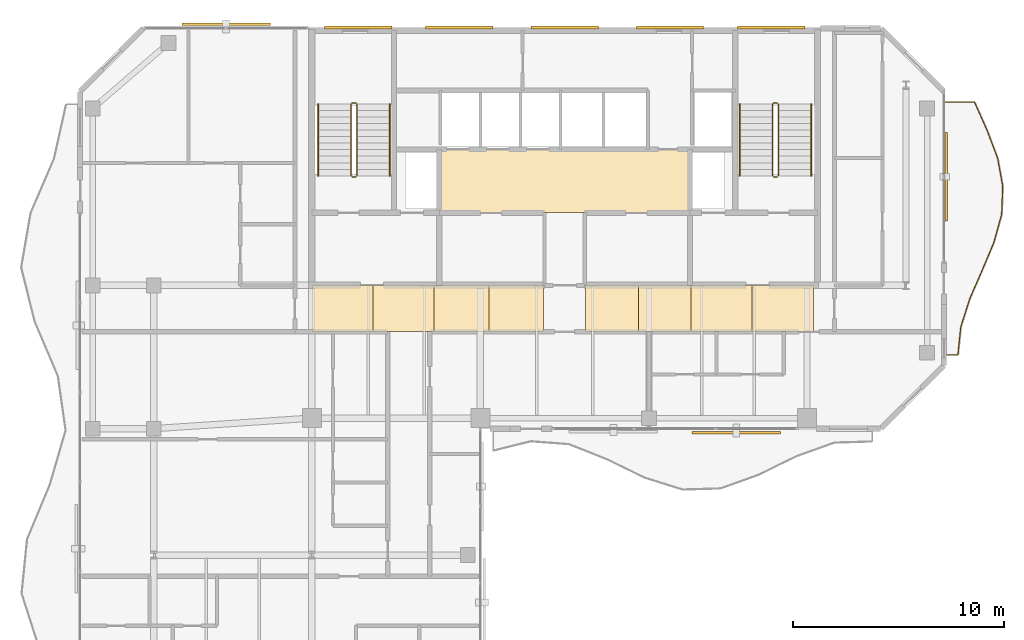
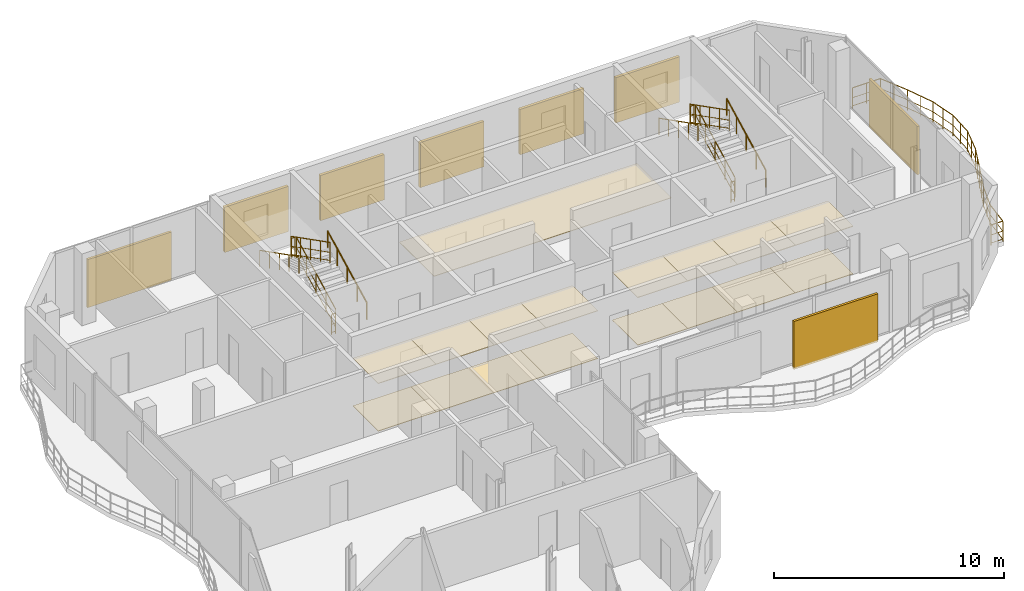
# One storey, part 22 of 22: 17 coverings, 13 railings, 8 shading devices.
"""IFC4 building model written with IfcOpenShell, lengths in metres."""

from ifc_helpers import new_model, si_unit, direction, frame, origin, origin_2d, place, context, subcontext, project, spatial, polyline, rectangle, circle, outline, extrude, material, layer, layer_set, type_object, element, save


model = new_model("IFC4")

# Units and contexts
model_context = context("Model", 3, precision=1e-05, world=origin(), true_north=direction((0.0, 1.0)))
body_context = subcontext(model_context, "Body", "Model", "MODEL_VIEW")
ifc_project = project(units=[si_unit("LENGTHUNIT", "METRE"), si_unit("AREAUNIT", "SQUARE_METRE"), si_unit("VOLUMEUNIT", "CUBIC_METRE"), si_unit("PLANEANGLEUNIT", "RADIAN"), si_unit("MASSUNIT", "GRAM", prefix="KILO")], contexts=[model_context])

# Site, building, storey
site_placement = place(None, origin())
site = spatial("IfcSite", under=ifc_project, at=site_placement, CompositionType="ELEMENT")
building_placement = place(site_placement, origin())
building = spatial("IfcBuilding", under=site, at=building_placement, Name="Catumbela Crestline Tower", CompositionType="ELEMENT")
storey_placement = place(building_placement, frame((0.0, 0.0, 260.2)))
storey = spatial("IfcBuildingStorey", under=building, at=storey_placement, Name="L67", CompositionType="ELEMENT", Elevation=260.2)

# Coverings
ifc_material_1 = material(Name="Mineral-fibre acoustic ceiling")
ifc_layer_1 = layer(ifc_material_1, 0.03, Name="Mineral-fibre acoustic ceiling")
ifc_layer_set_1 = layer_set([ifc_layer_1], Name="Mineral-fibre acoustic ceiling")
covering_type_1 = type_object("IfcCoveringType", Name="CC-AC", PredefinedType="CEILING", material=ifc_layer_set_1)
covering_1_placement = place(storey_placement, frame((0.0, 0.0, 2.65)))
element("IfcCovering", 1, at=covering_1_placement, inside=storey, type_object=covering_type_1, Name="L67 Lift Lobby Acoustic Ceiling", PredefinedType="CEILING", context=body_context, shape_type="SweptSolid", body=[
    extrude(outline(polyline([(22.05, 34.25), (33.95, 34.25), (33.95, 37.25), (22.05, 37.25), (22.05, 34.25)])), origin(), (0.0, 0.0, 1.0), 0.03),
])
covering_2_placement = place(storey_placement, frame((0.0, 0.0, 2.52)))
element("IfcCovering", 2, at=covering_2_placement, inside=storey, type_object=covering_type_1, Name="L67 Corridor Acoustic Ceiling Bay 1", PredefinedType="CEILING", context=body_context, shape_type="SweptSolid", body=[
    extrude(outline(polyline([(16.0, 28.6), (18.9, 28.6), (18.9, 30.8), (16.0, 30.8), (16.0, 28.6)])), origin(), (0.0, 0.0, 1.0), 0.03),
])
covering_3_placement = place(storey_placement, frame((0.0, 0.0, 2.52)))
element("IfcCovering", 3, at=covering_3_placement, inside=storey, type_object=covering_type_1, Name="L67 Corridor Acoustic Ceiling Bay 2", PredefinedType="CEILING", context=body_context, shape_type="SweptSolid", body=[
    extrude(outline(polyline([(18.9, 28.6), (21.8, 28.6), (21.8, 30.8), (18.9, 30.8), (18.9, 28.6)])), origin(), (0.0, 0.0, 1.0), 0.03),
])
covering_4_placement = place(storey_placement, frame((0.0, 0.0, 2.52)))
element("IfcCovering", 4, at=covering_4_placement, inside=storey, type_object=covering_type_1, Name="L67 Corridor Acoustic Ceiling Bay 3", PredefinedType="CEILING", context=body_context, shape_type="SweptSolid", body=[
    extrude(outline(polyline([(21.8, 28.6), (24.4, 28.6), (24.4, 30.8), (21.8, 30.8), (21.8, 28.6)])), origin(), (0.0, 0.0, 1.0), 0.03),
])
covering_5_placement = place(storey_placement, frame((0.0, 0.0, 2.52)))
element("IfcCovering", 5, at=covering_5_placement, inside=storey, type_object=covering_type_1, Name="L67 Corridor Acoustic Ceiling Bay 4", PredefinedType="CEILING", context=body_context, shape_type="SweptSolid", body=[
    extrude(outline(polyline([(24.4, 28.6), (27.0, 28.6), (27.0, 30.8), (24.4, 30.8), (24.4, 28.6)])), origin(), (0.0, 0.0, 1.0), 0.03),
])
covering_6_placement = place(storey_placement, frame((0.0, 0.0, 2.52)))
element("IfcCovering", 6, at=covering_6_placement, inside=storey, type_object=covering_type_1, Name="L67 Corridor Acoustic Ceiling Bay 5", PredefinedType="CEILING", context=body_context, shape_type="SweptSolid", body=[
    extrude(outline(polyline([(29.0, 28.6), (31.5, 28.6), (31.5, 30.8), (29.0, 30.8), (29.0, 28.6)])), origin(), (0.0, 0.0, 1.0), 0.03),
])
covering_7_placement = place(storey_placement, frame((0.0, 0.0, 2.52)))
element("IfcCovering", 7, at=covering_7_placement, inside=storey, type_object=covering_type_1, Name="L67 Corridor Acoustic Ceiling Bay 6", PredefinedType="CEILING", context=body_context, shape_type="SweptSolid", body=[
    extrude(outline(polyline([(31.5, 28.6), (34.0, 28.6), (34.0, 30.8), (31.5, 30.8), (31.5, 28.6)])), origin(), (0.0, 0.0, 1.0), 0.03),
])
covering_8_placement = place(storey_placement, frame((0.0, 0.0, 2.52)))
element("IfcCovering", 8, at=covering_8_placement, inside=storey, type_object=covering_type_1, Name="L67 Corridor Acoustic Ceiling Bay 7", PredefinedType="CEILING", context=body_context, shape_type="SweptSolid", body=[
    extrude(outline(polyline([(34.0, 28.6), (36.9, 28.6), (36.9, 30.8), (34.0, 30.8), (34.0, 28.6)])), origin(), (0.0, 0.0, 1.0), 0.03),
])
covering_9_placement = place(storey_placement, frame((0.0, 0.0, 2.52)))
element("IfcCovering", 9, at=covering_9_placement, inside=storey, type_object=covering_type_1, Name="L67 Corridor Acoustic Ceiling Bay 8", PredefinedType="CEILING", context=body_context, shape_type="SweptSolid", body=[
    extrude(outline(polyline([(36.9, 28.6), (39.8, 28.6), (39.8, 30.8), (36.9, 30.8), (36.9, 28.6)])), origin(), (0.0, 0.0, 1.0), 0.03),
])
ifc_material_2 = material(Name="Angolan grey-ochre granite", Category="masonry")
ifc_layer_2 = layer(ifc_material_2, 0.025, Name="Angolan grey-ochre granite")
ifc_layer_set_2 = layer_set([ifc_layer_2], Name="Angolan grey-ochre granite")
covering_type_2 = type_object("IfcCoveringType", Name="CF-GR", PredefinedType="FLOORING", material=ifc_layer_set_2)
covering_10_placement = place(storey_placement, origin())
element("IfcCovering", 10, at=covering_10_placement, inside=storey, type_object=covering_type_2, Name="L67 Corridor Granite Flooring Bay 1", PredefinedType="FLOORING", context=body_context, shape_type="SweptSolid", body=[
    extrude(outline(polyline([(16.0, 28.6), (18.9, 28.6), (18.9, 30.8), (16.0, 30.8), (16.0, 28.6)])), origin(), (0.0, 0.0, 1.0), 0.025),
])
covering_11_placement = place(storey_placement, origin())
element("IfcCovering", 11, at=covering_11_placement, inside=storey, type_object=covering_type_2, Name="L67 Corridor Granite Flooring Bay 2", PredefinedType="FLOORING", context=body_context, shape_type="SweptSolid", body=[
    extrude(outline(polyline([(18.9, 28.6), (21.8, 28.6), (21.8, 30.8), (18.9, 30.8), (18.9, 28.6)])), origin(), (0.0, 0.0, 1.0), 0.025),
])
covering_12_placement = place(storey_placement, origin())
element("IfcCovering", 12, at=covering_12_placement, inside=storey, type_object=covering_type_2, Name="L67 Corridor Granite Flooring Bay 3", PredefinedType="FLOORING", context=body_context, shape_type="SweptSolid", body=[
    extrude(outline(polyline([(21.8, 28.6), (24.4, 28.6), (24.4, 30.8), (21.8, 30.8), (21.8, 28.6)])), origin(), (0.0, 0.0, 1.0), 0.025),
])
covering_13_placement = place(storey_placement, origin())
element("IfcCovering", 13, at=covering_13_placement, inside=storey, type_object=covering_type_2, Name="L67 Corridor Granite Flooring Bay 4", PredefinedType="FLOORING", context=body_context, shape_type="SweptSolid", body=[
    extrude(outline(polyline([(24.4, 28.6), (27.0, 28.6), (27.0, 30.8), (24.4, 30.8), (24.4, 28.6)])), origin(), (0.0, 0.0, 1.0), 0.025),
])
covering_14_placement = place(storey_placement, origin())
element("IfcCovering", 14, at=covering_14_placement, inside=storey, type_object=covering_type_2, Name="L67 Corridor Granite Flooring Bay 5", PredefinedType="FLOORING", context=body_context, shape_type="SweptSolid", body=[
    extrude(outline(polyline([(29.0, 28.6), (31.5, 28.6), (31.5, 30.8), (29.0, 30.8), (29.0, 28.6)])), origin(), (0.0, 0.0, 1.0), 0.025),
])
covering_15_placement = place(storey_placement, origin())
element("IfcCovering", 15, at=covering_15_placement, inside=storey, type_object=covering_type_2, Name="L67 Corridor Granite Flooring Bay 6", PredefinedType="FLOORING", context=body_context, shape_type="SweptSolid", body=[
    extrude(outline(polyline([(31.5, 28.6), (34.0, 28.6), (34.0, 30.8), (31.5, 30.8), (31.5, 28.6)])), origin(), (0.0, 0.0, 1.0), 0.025),
])
covering_16_placement = place(storey_placement, origin())
element("IfcCovering", 16, at=covering_16_placement, inside=storey, type_object=covering_type_2, Name="L67 Corridor Granite Flooring Bay 7", PredefinedType="FLOORING", context=body_context, shape_type="SweptSolid", body=[
    extrude(outline(polyline([(34.0, 28.6), (36.9, 28.6), (36.9, 30.8), (34.0, 30.8), (34.0, 28.6)])), origin(), (0.0, 0.0, 1.0), 0.025),
])
covering_17_placement = place(storey_placement, origin())
element("IfcCovering", 17, at=covering_17_placement, inside=storey, type_object=covering_type_2, Name="L67 Corridor Granite Flooring Bay 8", PredefinedType="FLOORING", context=body_context, shape_type="SweptSolid", body=[
    extrude(outline(polyline([(36.9, 28.6), (39.8, 28.6), (39.8, 30.8), (36.9, 30.8), (36.9, 28.6)])), origin(), (0.0, 0.0, 1.0), 0.025),
])

# Railings
ifc_material_3 = material(Name="Stainless steel EN 1.4401", Category="steel")
railing_type_1 = type_object("IfcRailingType", Name="RB-1100", PredefinedType="BALUSTRADE", material=ifc_material_3)
railing_1_placement = place(storey_placement, frame((46.06, 27.5, 0.0)))
element("IfcRailing", 18, at=railing_1_placement, inside=storey, type_object=railing_type_1, Name="L67 Private Wave Balcony Balustrade 2", PredefinedType="BALUSTRADE", context=body_context, shape_type="SweptSolid", body=[
    extrude(circle(Radius=0.024, at=origin_2d()), frame((0.0, 0.0, 1.076), z_axis=(1.0, 0.0, 0.0), x_axis=(0.0, 1.0, 0.0)), (0.0, 0.0, 1.0), 0.601),
    extrude(circle(Radius=0.0156, at=origin_2d()), frame((0.0, 0.0, 0.55), z_axis=(1.0, 0.0, 0.0), x_axis=(0.0, 1.0, 0.0)), (0.0, 0.0, 1.0), 0.601),
    extrude(circle(Radius=0.0156, at=origin_2d()), frame((0.0, 0.0, 0.12), z_axis=(1.0, 0.0, 0.0), x_axis=(0.0, 1.0, 0.0)), (0.0, 0.0, 1.0), 0.601),
    extrude(circle(Radius=0.024, at=origin_2d()), frame((0.601, 0.0, 1.076), z_axis=(0.104133385077, 0.994563340423, 0.0), x_axis=(-0.994563340423, 0.104133385077, 0.0)), (0.0, 0.0, 1.0), 1.3406),
    extrude(circle(Radius=0.0156, at=origin_2d()), frame((0.601, 0.0, 0.55), z_axis=(0.104133385077, 0.994563340423, 0.0), x_axis=(-0.994563340423, 0.104133385077, 0.0)), (0.0, 0.0, 1.0), 1.3406),
    extrude(circle(Radius=0.0156, at=origin_2d()), frame((0.601, 0.0, 0.12), z_axis=(0.104133385077, 0.994563340423, 0.0), x_axis=(-0.994563340423, 0.104133385077, 0.0)), (0.0, 0.0, 1.0), 1.3406),
    extrude(circle(Radius=0.024, at=origin_2d()), frame((0.7406, 1.3333, 1.076), z_axis=(0.303811133199, 0.952732278945, 0.0), x_axis=(-0.952732278945, 0.303811133199, 0.0)), (0.0, 0.0, 1.0), 1.3996),
    extrude(circle(Radius=0.0156, at=origin_2d()), frame((0.7406, 1.3333, 0.55), z_axis=(0.303811133199, 0.952732278945, 0.0), x_axis=(-0.952732278945, 0.303811133199, 0.0)), (0.0, 0.0, 1.0), 1.3996),
    extrude(circle(Radius=0.0156, at=origin_2d()), frame((0.7406, 1.3333, 0.12), z_axis=(0.303811133199, 0.952732278945, 0.0), x_axis=(-0.952732278945, 0.303811133199, 0.0)), (0.0, 0.0, 1.0), 1.3996),
    extrude(circle(Radius=0.024, at=origin_2d()), frame((1.1658, 2.6667, 1.076), z_axis=(0.399711331432, 0.916641070172, 0.0), x_axis=(-0.916641070172, 0.399711331432, 0.0)), (0.0, 0.0, 1.0), 1.4545),
    extrude(circle(Radius=0.0156, at=origin_2d()), frame((1.1658, 2.6667, 0.55), z_axis=(0.399711331432, 0.916641070172, 0.0), x_axis=(-0.916641070172, 0.399711331432, 0.0)), (0.0, 0.0, 1.0), 1.4545),
    extrude(circle(Radius=0.0156, at=origin_2d()), frame((1.1658, 2.6667, 0.12), z_axis=(0.399711331432, 0.916641070172, 0.0), x_axis=(-0.916641070172, 0.399711331432, 0.0)), (0.0, 0.0, 1.0), 1.4545),
    extrude(circle(Radius=0.024, at=origin_2d()), frame((1.7472, 4.0, 1.076), z_axis=(0.387828284506, 0.921731643016, 0.0), x_axis=(-0.921731643016, 0.387828284506, 0.0)), (0.0, 0.0, 1.0), 1.4465),
    extrude(circle(Radius=0.0156, at=origin_2d()), frame((1.7472, 4.0, 0.55), z_axis=(0.387828284506, 0.921731643016, 0.0), x_axis=(-0.921731643016, 0.387828284506, 0.0)), (0.0, 0.0, 1.0), 1.4465),
    extrude(circle(Radius=0.0156, at=origin_2d()), frame((1.7472, 4.0, 0.12), z_axis=(0.387828284506, 0.921731643016, 0.0), x_axis=(-0.921731643016, 0.387828284506, 0.0)), (0.0, 0.0, 1.0), 1.4465),
    extrude(circle(Radius=0.024, at=origin_2d()), frame((2.3082, 5.3333, 1.076), z_axis=(0.267450049337, 0.963571725981, 0.0), x_axis=(-0.963571725981, 0.267450049337, 0.0)), (0.0, 0.0, 1.0), 1.3838),
    extrude(circle(Radius=0.0156, at=origin_2d()), frame((2.3082, 5.3333, 0.55), z_axis=(0.267450049337, 0.963571725981, 0.0), x_axis=(-0.963571725981, 0.267450049337, 0.0)), (0.0, 0.0, 1.0), 1.3838),
    extrude(circle(Radius=0.0156, at=origin_2d()), frame((2.3082, 5.3333, 0.12), z_axis=(0.267450049337, 0.963571725981, 0.0), x_axis=(-0.963571725981, 0.267450049337, 0.0)), (0.0, 0.0, 1.0), 1.3838),
    extrude(circle(Radius=0.024, at=origin_2d()), frame((2.6783, 6.6667, 1.076), z_axis=(0.038746850927, 0.999249058815, 0.0), x_axis=(-0.999249058815, 0.038746850927, 0.0)), (0.0, 0.0, 1.0), 1.3343),
    extrude(circle(Radius=0.0156, at=origin_2d()), frame((2.6783, 6.6667, 0.55), z_axis=(0.038746850927, 0.999249058815, 0.0), x_axis=(-0.999249058815, 0.038746850927, 0.0)), (0.0, 0.0, 1.0), 1.3343),
    extrude(circle(Radius=0.0156, at=origin_2d()), frame((2.6783, 6.6667, 0.12), z_axis=(0.038746850927, 0.999249058815, 0.0), x_axis=(-0.999249058815, 0.038746850927, 0.0)), (0.0, 0.0, 1.0), 1.3343),
    extrude(circle(Radius=0.024, at=origin_2d()), frame((2.73, 8.0, 1.076), z_axis=(-0.178586703106, 0.983924178722, 0.0), x_axis=(-0.983924178722, -0.178586703106, 0.0)), (0.0, 0.0, 1.0), 1.3551),
    extrude(circle(Radius=0.0156, at=origin_2d()), frame((2.73, 8.0, 0.55), z_axis=(-0.178586703106, 0.983924178722, 0.0), x_axis=(-0.983924178722, -0.178586703106, 0.0)), (0.0, 0.0, 1.0), 1.3551),
    extrude(circle(Radius=0.0156, at=origin_2d()), frame((2.73, 8.0, 0.12), z_axis=(-0.178586703106, 0.983924178722, 0.0), x_axis=(-0.983924178722, -0.178586703106, 0.0)), (0.0, 0.0, 1.0), 1.3551),
    extrude(circle(Radius=0.024, at=origin_2d()), frame((2.488, 9.3333, 1.076), z_axis=(-0.352645749318, 0.935756899781, 0.0), x_axis=(-0.935756899781, -0.352645749318, 0.0)), (0.0, 0.0, 1.0), 1.4249),
    extrude(circle(Radius=0.0156, at=origin_2d()), frame((2.488, 9.3333, 0.55), z_axis=(-0.352645749318, 0.935756899781, 0.0), x_axis=(-0.935756899781, -0.352645749318, 0.0)), (0.0, 0.0, 1.0), 1.4249),
    extrude(circle(Radius=0.0156, at=origin_2d()), frame((2.488, 9.3333, 0.12), z_axis=(-0.352645749318, 0.935756899781, 0.0), x_axis=(-0.935756899781, -0.352645749318, 0.0)), (0.0, 0.0, 1.0), 1.4249),
    extrude(circle(Radius=0.024, at=origin_2d()), frame((1.9855, 10.6667, 1.076), z_axis=(-0.407694688159, 0.913118306271, 0.0), x_axis=(-0.913118306271, -0.407694688159, 0.0)), (0.0, 0.0, 1.0), 1.4602),
    extrude(circle(Radius=0.0156, at=origin_2d()), frame((1.9855, 10.6667, 0.55), z_axis=(-0.407694688159, 0.913118306271, 0.0), x_axis=(-0.913118306271, -0.407694688159, 0.0)), (0.0, 0.0, 1.0), 1.4602),
    extrude(circle(Radius=0.0156, at=origin_2d()), frame((1.9855, 10.6667, 0.12), z_axis=(-0.407694688159, 0.913118306271, 0.0), x_axis=(-0.913118306271, -0.407694688159, 0.0)), (0.0, 0.0, 1.0), 1.4602),
    extrude(circle(Radius=0.024, at=origin_2d()), frame((1.3902, 12.0, 1.076), z_axis=(-1.0, 0.0, 0.0), x_axis=(0.0, -1.0, 0.0)), (0.0, 0.0, 1.0), 1.3902),
    extrude(circle(Radius=0.0156, at=origin_2d()), frame((1.3902, 12.0, 0.55), z_axis=(-1.0, 0.0, 0.0), x_axis=(0.0, -1.0, 0.0)), (0.0, 0.0, 1.0), 1.3902),
    extrude(circle(Radius=0.0156, at=origin_2d()), frame((1.3902, 12.0, 0.12), z_axis=(-1.0, 0.0, 0.0), x_axis=(0.0, -1.0, 0.0)), (0.0, 0.0, 1.0), 1.3902),
    extrude(circle(Radius=0.021, at=origin_2d()), origin(), (0.0, 0.0, 1.0), 1.052),
    extrude(circle(Radius=0.021, at=origin_2d()), frame((0.601, 0.0, 0.0)), (0.0, 0.0, 1.0), 1.052),
    extrude(circle(Radius=0.021, at=origin_2d()), frame((0.6708, 0.6667, 0.0)), (0.0, 0.0, 1.0), 1.052),
    extrude(circle(Radius=0.021, at=origin_2d()), frame((0.7406, 1.3333, 0.0)), (0.0, 0.0, 1.0), 1.052),
    extrude(circle(Radius=0.021, at=origin_2d()), frame((0.9532, 2.0, 0.0)), (0.0, 0.0, 1.0), 1.052),
    extrude(circle(Radius=0.021, at=origin_2d()), frame((1.1658, 2.6667, 0.0)), (0.0, 0.0, 1.0), 1.052),
    extrude(circle(Radius=0.021, at=origin_2d()), frame((1.4565, 3.3333, 0.0)), (0.0, 0.0, 1.0), 1.052),
    extrude(circle(Radius=0.021, at=origin_2d()), frame((1.7472, 4.0, 0.0)), (0.0, 0.0, 1.0), 1.052),
    extrude(circle(Radius=0.021, at=origin_2d()), frame((2.0277, 4.6667, 0.0)), (0.0, 0.0, 1.0), 1.052),
    extrude(circle(Radius=0.021, at=origin_2d()), frame((2.3082, 5.3333, 0.0)), (0.0, 0.0, 1.0), 1.052),
    extrude(circle(Radius=0.021, at=origin_2d()), frame((2.4932, 6.0, 0.0)), (0.0, 0.0, 1.0), 1.052),
    extrude(circle(Radius=0.021, at=origin_2d()), frame((2.6783, 6.6667, 0.0)), (0.0, 0.0, 1.0), 1.052),
    extrude(circle(Radius=0.021, at=origin_2d()), frame((2.7041, 7.3334, 0.0)), (0.0, 0.0, 1.0), 1.052),
    extrude(circle(Radius=0.021, at=origin_2d()), frame((2.73, 8.0, 0.0)), (0.0, 0.0, 1.0), 1.052),
    extrude(circle(Radius=0.021, at=origin_2d()), frame((2.609, 8.6666, 0.0)), (0.0, 0.0, 1.0), 1.052),
    extrude(circle(Radius=0.021, at=origin_2d()), frame((2.488, 9.3333, 0.0)), (0.0, 0.0, 1.0), 1.052),
    extrude(circle(Radius=0.021, at=origin_2d()), frame((2.2367, 10.0, 0.0)), (0.0, 0.0, 1.0), 1.052),
    extrude(circle(Radius=0.021, at=origin_2d()), frame((1.9855, 10.6667, 0.0)), (0.0, 0.0, 1.0), 1.052),
    extrude(circle(Radius=0.021, at=origin_2d()), frame((1.6878, 11.3334, 0.0)), (0.0, 0.0, 1.0), 1.052),
    extrude(circle(Radius=0.021, at=origin_2d()), frame((1.3902, 12.0, 0.0)), (0.0, 0.0, 1.0), 1.052),
    extrude(circle(Radius=0.021, at=origin_2d()), frame((0.6951, 12.0, 0.0)), (0.0, 0.0, 1.0), 1.052),
    extrude(circle(Radius=0.021, at=origin_2d()), frame((0.0, 12.0, 0.0)), (0.0, 0.0, 1.0), 1.052),
])
railing_type_2 = type_object("IfcRailingType", Name="RG-1100", PredefinedType="GUARDRAIL", material=ifc_material_3)
railing_2_placement = place(storey_placement, frame((18.14, 36.0, 0.1583)))
element("IfcRailing", 19, at=railing_2_placement, inside=storey, type_object=railing_type_2, Name="L67 ST-01 stair guard 1", PredefinedType="GUARDRAIL", context=body_context, shape_type="SweptSolid", body=[
    extrude(circle(Radius=0.024, at=origin_2d()), frame((0.0, 0.0, 1.076), z_axis=(0.0, 0.890560473983, 0.454864861447), x_axis=(-1.0, 0.0, 0.0)), (0.0, 0.0, 1.0), 3.829),
    extrude(circle(Radius=0.0156, at=origin_2d()), frame((0.0, 0.0, 0.55), z_axis=(0.0, 0.890560473983, 0.454864861447), x_axis=(-1.0, 0.0, 0.0)), (0.0, 0.0, 1.0), 3.829),
    extrude(circle(Radius=0.0156, at=origin_2d()), frame((0.0, 0.0, 0.12), z_axis=(0.0, 0.890560473983, 0.454864861447), x_axis=(-1.0, 0.0, 0.0)), (0.0, 0.0, 1.0), 3.829),
    extrude(circle(Radius=0.021, at=origin_2d()), origin(), (0.0, 0.0, 1.0), 1.052),
    extrude(circle(Radius=0.021, at=origin_2d()), frame((0.0, 0.8525, 0.4354)), (0.0, 0.0, 1.0), 1.052),
    extrude(circle(Radius=0.021, at=origin_2d()), frame((0.0, 1.705, 0.8709)), (0.0, 0.0, 1.0), 1.052),
    extrude(circle(Radius=0.021, at=origin_2d()), frame((0.0, 2.5575, 1.3063)), (0.0, 0.0, 1.0), 1.052),
    extrude(circle(Radius=0.021, at=origin_2d()), frame((0.0, 3.41, 1.7417)), (0.0, 0.0, 1.0), 1.052),
])
railing_3_placement = place(storey_placement, frame((18.09, 39.46, 1.9)))
element("IfcRailing", 20, at=railing_3_placement, inside=storey, type_object=railing_type_2, Name="L67 ST-01 stair guard 2", PredefinedType="GUARDRAIL", context=body_context, shape_type="SweptSolid", body=[
    extrude(circle(Radius=0.024, at=origin_2d()), frame((0.0, 0.0, 1.076), z_axis=(-1.0, 0.0, 0.0), x_axis=(0.0, -1.0, 0.0)), (0.0, 0.0, 1.0), 0.18),
    extrude(circle(Radius=0.0156, at=origin_2d()), frame((0.0, 0.0, 0.55), z_axis=(-1.0, 0.0, 0.0), x_axis=(0.0, -1.0, 0.0)), (0.0, 0.0, 1.0), 0.18),
    extrude(circle(Radius=0.0156, at=origin_2d()), frame((0.0, 0.0, 0.12), z_axis=(-1.0, 0.0, 0.0), x_axis=(0.0, -1.0, 0.0)), (0.0, 0.0, 1.0), 0.18),
    extrude(circle(Radius=0.021, at=origin_2d()), origin(), (0.0, 0.0, 1.0), 1.052),
    extrude(circle(Radius=0.021, at=origin_2d()), frame((-0.18, 0.0, 0.0)), (0.0, 0.0, 1.0), 1.052),
])
railing_4_placement = place(storey_placement, frame((17.86, 39.41, 2.0583)))
element("IfcRailing", 21, at=railing_4_placement, inside=storey, type_object=railing_type_2, Name="L67 ST-01 stair guard 3", PredefinedType="GUARDRAIL", context=body_context, shape_type="SweptSolid", body=[
    extrude(circle(Radius=0.024, at=origin_2d()), frame((0.0, 0.0, 1.076), z_axis=(0.0, -0.890560473983, 0.454864861447), x_axis=(1.0, 0.0, 0.0)), (0.0, 0.0, 1.0), 3.829),
    extrude(circle(Radius=0.0156, at=origin_2d()), frame((0.0, 0.0, 0.55), z_axis=(0.0, -0.890560473983, 0.454864861447), x_axis=(1.0, 0.0, 0.0)), (0.0, 0.0, 1.0), 3.829),
    extrude(circle(Radius=0.0156, at=origin_2d()), frame((0.0, 0.0, 0.12), z_axis=(0.0, -0.890560473983, 0.454864861447), x_axis=(1.0, 0.0, 0.0)), (0.0, 0.0, 1.0), 3.829),
    extrude(circle(Radius=0.021, at=origin_2d()), origin(), (0.0, 0.0, 1.0), 1.052),
    extrude(circle(Radius=0.021, at=origin_2d()), frame((0.0, -0.8525, 0.4354)), (0.0, 0.0, 1.0), 1.052),
    extrude(circle(Radius=0.021, at=origin_2d()), frame((0.0, -1.705, 0.8708)), (0.0, 0.0, 1.0), 1.052),
    extrude(circle(Radius=0.021, at=origin_2d()), frame((0.0, -2.5575, 1.3063)), (0.0, 0.0, 1.0), 1.052),
    extrude(circle(Radius=0.021, at=origin_2d()), frame((0.0, -3.41, 1.7417)), (0.0, 0.0, 1.0), 1.052),
])
railing_5_placement = place(storey_placement, frame((18.09, 35.95, 0.0)))
element("IfcRailing", 22, at=railing_5_placement, inside=storey, type_object=railing_type_2, Name="L67 ST-01 stair guard 4", PredefinedType="GUARDRAIL", context=body_context, shape_type="SweptSolid", body=[
    extrude(circle(Radius=0.024, at=origin_2d()), frame((0.0, 0.0, 1.076), z_axis=(-1.0, 0.0, 0.0), x_axis=(0.0, -1.0, 0.0)), (0.0, 0.0, 1.0), 0.18),
    extrude(circle(Radius=0.0156, at=origin_2d()), frame((0.0, 0.0, 0.55), z_axis=(-1.0, 0.0, 0.0), x_axis=(0.0, -1.0, 0.0)), (0.0, 0.0, 1.0), 0.18),
    extrude(circle(Radius=0.0156, at=origin_2d()), frame((0.0, 0.0, 0.12), z_axis=(-1.0, 0.0, 0.0), x_axis=(0.0, -1.0, 0.0)), (0.0, 0.0, 1.0), 0.18),
    extrude(circle(Radius=0.021, at=origin_2d()), origin(), (0.0, 0.0, 1.0), 1.052),
    extrude(circle(Radius=0.021, at=origin_2d()), frame((-0.18, 0.0, 0.0)), (0.0, 0.0, 1.0), 1.052),
])
railing_6_placement = place(storey_placement, frame((38.14, 36.0, 0.1583)))
element("IfcRailing", 23, at=railing_6_placement, inside=storey, type_object=railing_type_2, Name="L67 ST-02 stair guard 1", PredefinedType="GUARDRAIL", context=body_context, shape_type="SweptSolid", body=[
    extrude(circle(Radius=0.024, at=origin_2d()), frame((0.0, 0.0, 1.076), z_axis=(0.0, 0.890560473983, 0.454864861447), x_axis=(-1.0, 0.0, 0.0)), (0.0, 0.0, 1.0), 3.829),
    extrude(circle(Radius=0.0156, at=origin_2d()), frame((0.0, 0.0, 0.55), z_axis=(0.0, 0.890560473983, 0.454864861447), x_axis=(-1.0, 0.0, 0.0)), (0.0, 0.0, 1.0), 3.829),
    extrude(circle(Radius=0.0156, at=origin_2d()), frame((0.0, 0.0, 0.12), z_axis=(0.0, 0.890560473983, 0.454864861447), x_axis=(-1.0, 0.0, 0.0)), (0.0, 0.0, 1.0), 3.829),
    extrude(circle(Radius=0.021, at=origin_2d()), origin(), (0.0, 0.0, 1.0), 1.052),
    extrude(circle(Radius=0.021, at=origin_2d()), frame((0.0, 0.8525, 0.4354)), (0.0, 0.0, 1.0), 1.052),
    extrude(circle(Radius=0.021, at=origin_2d()), frame((0.0, 1.705, 0.8709)), (0.0, 0.0, 1.0), 1.052),
    extrude(circle(Radius=0.021, at=origin_2d()), frame((0.0, 2.5575, 1.3063)), (0.0, 0.0, 1.0), 1.052),
    extrude(circle(Radius=0.021, at=origin_2d()), frame((0.0, 3.41, 1.7417)), (0.0, 0.0, 1.0), 1.052),
])
railing_7_placement = place(storey_placement, frame((38.09, 39.46, 1.9)))
element("IfcRailing", 24, at=railing_7_placement, inside=storey, type_object=railing_type_2, Name="L67 ST-02 stair guard 2", PredefinedType="GUARDRAIL", context=body_context, shape_type="SweptSolid", body=[
    extrude(circle(Radius=0.024, at=origin_2d()), frame((0.0, 0.0, 1.076), z_axis=(-1.0, 0.0, 0.0), x_axis=(0.0, -1.0, 0.0)), (0.0, 0.0, 1.0), 0.18),
    extrude(circle(Radius=0.0156, at=origin_2d()), frame((0.0, 0.0, 0.55), z_axis=(-1.0, 0.0, 0.0), x_axis=(0.0, -1.0, 0.0)), (0.0, 0.0, 1.0), 0.18),
    extrude(circle(Radius=0.0156, at=origin_2d()), frame((0.0, 0.0, 0.12), z_axis=(-1.0, 0.0, 0.0), x_axis=(0.0, -1.0, 0.0)), (0.0, 0.0, 1.0), 0.18),
    extrude(circle(Radius=0.021, at=origin_2d()), origin(), (0.0, 0.0, 1.0), 1.052),
    extrude(circle(Radius=0.021, at=origin_2d()), frame((-0.18, 0.0, 0.0)), (0.0, 0.0, 1.0), 1.052),
])
railing_8_placement = place(storey_placement, frame((37.86, 39.41, 2.0583)))
element("IfcRailing", 25, at=railing_8_placement, inside=storey, type_object=railing_type_2, Name="L67 ST-02 stair guard 3", PredefinedType="GUARDRAIL", context=body_context, shape_type="SweptSolid", body=[
    extrude(circle(Radius=0.024, at=origin_2d()), frame((0.0, 0.0, 1.076), z_axis=(0.0, -0.890560473983, 0.454864861447), x_axis=(1.0, 0.0, 0.0)), (0.0, 0.0, 1.0), 3.829),
    extrude(circle(Radius=0.0156, at=origin_2d()), frame((0.0, 0.0, 0.55), z_axis=(0.0, -0.890560473983, 0.454864861447), x_axis=(1.0, 0.0, 0.0)), (0.0, 0.0, 1.0), 3.829),
    extrude(circle(Radius=0.0156, at=origin_2d()), frame((0.0, 0.0, 0.12), z_axis=(0.0, -0.890560473983, 0.454864861447), x_axis=(1.0, 0.0, 0.0)), (0.0, 0.0, 1.0), 3.829),
    extrude(circle(Radius=0.021, at=origin_2d()), origin(), (0.0, 0.0, 1.0), 1.052),
    extrude(circle(Radius=0.021, at=origin_2d()), frame((0.0, -0.8525, 0.4354)), (0.0, 0.0, 1.0), 1.052),
    extrude(circle(Radius=0.021, at=origin_2d()), frame((0.0, -1.705, 0.8708)), (0.0, 0.0, 1.0), 1.052),
    extrude(circle(Radius=0.021, at=origin_2d()), frame((0.0, -2.5575, 1.3063)), (0.0, 0.0, 1.0), 1.052),
    extrude(circle(Radius=0.021, at=origin_2d()), frame((0.0, -3.41, 1.7417)), (0.0, 0.0, 1.0), 1.052),
])
railing_9_placement = place(storey_placement, frame((38.09, 35.95, 0.0)))
element("IfcRailing", 26, at=railing_9_placement, inside=storey, type_object=railing_type_2, Name="L67 ST-02 stair guard 4", PredefinedType="GUARDRAIL", context=body_context, shape_type="SweptSolid", body=[
    extrude(circle(Radius=0.024, at=origin_2d()), frame((0.0, 0.0, 1.076), z_axis=(-1.0, 0.0, 0.0), x_axis=(0.0, -1.0, 0.0)), (0.0, 0.0, 1.0), 0.18),
    extrude(circle(Radius=0.0156, at=origin_2d()), frame((0.0, 0.0, 0.55), z_axis=(-1.0, 0.0, 0.0), x_axis=(0.0, -1.0, 0.0)), (0.0, 0.0, 1.0), 0.18),
    extrude(circle(Radius=0.0156, at=origin_2d()), frame((0.0, 0.0, 0.12), z_axis=(-1.0, 0.0, 0.0), x_axis=(0.0, -1.0, 0.0)), (0.0, 0.0, 1.0), 0.18),
    extrude(circle(Radius=0.021, at=origin_2d()), origin(), (0.0, 0.0, 1.0), 1.052),
    extrude(circle(Radius=0.021, at=origin_2d()), frame((-0.18, 0.0, 0.0)), (0.0, 0.0, 1.0), 1.052),
])
railing_type_3 = type_object("IfcRailingType", Name="RH-0900", PredefinedType="HANDRAIL", material=ifc_material_3)
railing_10_placement = place(storey_placement, frame((19.7, 36.0, 0.1583)))
element("IfcRailing", 27, at=railing_10_placement, inside=storey, type_object=railing_type_3, Name="L67 ST-01 stair handrail 1", PredefinedType="HANDRAIL", context=body_context, shape_type="SweptSolid", body=[
    extrude(circle(Radius=0.024, at=origin_2d()), frame((0.0, 0.0, 0.876), z_axis=(0.0, 0.890560473983, 0.454864861447), x_axis=(-1.0, 0.0, 0.0)), (0.0, 0.0, 1.0), 3.829),
    extrude(circle(Radius=0.021, at=origin_2d()), origin(), (0.0, 0.0, 1.0), 0.852),
    extrude(circle(Radius=0.021, at=origin_2d()), frame((0.0, 0.8525, 0.4354)), (0.0, 0.0, 1.0), 0.852),
    extrude(circle(Radius=0.021, at=origin_2d()), frame((0.0, 1.705, 0.8709)), (0.0, 0.0, 1.0), 0.852),
    extrude(circle(Radius=0.021, at=origin_2d()), frame((0.0, 2.5575, 1.3063)), (0.0, 0.0, 1.0), 0.852),
    extrude(circle(Radius=0.021, at=origin_2d()), frame((0.0, 3.41, 1.7417)), (0.0, 0.0, 1.0), 0.852),
])
railing_11_placement = place(storey_placement, frame((16.3, 39.41, 2.0583)))
element("IfcRailing", 28, at=railing_11_placement, inside=storey, type_object=railing_type_3, Name="L67 ST-01 stair handrail 2", PredefinedType="HANDRAIL", context=body_context, shape_type="SweptSolid", body=[
    extrude(circle(Radius=0.024, at=origin_2d()), frame((0.0, 0.0, 0.876), z_axis=(0.0, -0.890560473983, 0.454864861447), x_axis=(1.0, 0.0, 0.0)), (0.0, 0.0, 1.0), 3.829),
    extrude(circle(Radius=0.021, at=origin_2d()), origin(), (0.0, 0.0, 1.0), 0.852),
    extrude(circle(Radius=0.021, at=origin_2d()), frame((0.0, -0.8525, 0.4354)), (0.0, 0.0, 1.0), 0.852),
    extrude(circle(Radius=0.021, at=origin_2d()), frame((0.0, -1.705, 0.8708)), (0.0, 0.0, 1.0), 0.852),
    extrude(circle(Radius=0.021, at=origin_2d()), frame((0.0, -2.5575, 1.3063)), (0.0, 0.0, 1.0), 0.852),
    extrude(circle(Radius=0.021, at=origin_2d()), frame((0.0, -3.41, 1.7417)), (0.0, 0.0, 1.0), 0.852),
])
railing_12_placement = place(storey_placement, frame((39.7, 36.0, 0.1583)))
element("IfcRailing", 29, at=railing_12_placement, inside=storey, type_object=railing_type_3, Name="L67 ST-02 stair handrail 1", PredefinedType="HANDRAIL", context=body_context, shape_type="SweptSolid", body=[
    extrude(circle(Radius=0.024, at=origin_2d()), frame((0.0, 0.0, 0.876), z_axis=(0.0, 0.890560473983, 0.454864861447), x_axis=(-1.0, 0.0, 0.0)), (0.0, 0.0, 1.0), 3.829),
    extrude(circle(Radius=0.021, at=origin_2d()), origin(), (0.0, 0.0, 1.0), 0.852),
    extrude(circle(Radius=0.021, at=origin_2d()), frame((0.0, 0.8525, 0.4354)), (0.0, 0.0, 1.0), 0.852),
    extrude(circle(Radius=0.021, at=origin_2d()), frame((0.0, 1.705, 0.8709)), (0.0, 0.0, 1.0), 0.852),
    extrude(circle(Radius=0.021, at=origin_2d()), frame((0.0, 2.5575, 1.3063)), (0.0, 0.0, 1.0), 0.852),
    extrude(circle(Radius=0.021, at=origin_2d()), frame((0.0, 3.41, 1.7417)), (0.0, 0.0, 1.0), 0.852),
])
railing_13_placement = place(storey_placement, frame((36.3, 39.41, 2.0583)))
element("IfcRailing", 30, at=railing_13_placement, inside=storey, type_object=railing_type_3, Name="L67 ST-02 stair handrail 2", PredefinedType="HANDRAIL", context=body_context, shape_type="SweptSolid", body=[
    extrude(circle(Radius=0.024, at=origin_2d()), frame((0.0, 0.0, 0.876), z_axis=(0.0, -0.890560473983, 0.454864861447), x_axis=(1.0, 0.0, 0.0)), (0.0, 0.0, 1.0), 3.829),
    extrude(circle(Radius=0.021, at=origin_2d()), origin(), (0.0, 0.0, 1.0), 0.852),
    extrude(circle(Radius=0.021, at=origin_2d()), frame((0.0, -0.8525, 0.4354)), (0.0, 0.0, 1.0), 0.852),
    extrude(circle(Radius=0.021, at=origin_2d()), frame((0.0, -1.705, 0.8708)), (0.0, 0.0, 1.0), 0.852),
    extrude(circle(Radius=0.021, at=origin_2d()), frame((0.0, -2.5575, 1.3063)), (0.0, 0.0, 1.0), 0.852),
    extrude(circle(Radius=0.021, at=origin_2d()), frame((0.0, -3.41, 1.7417)), (0.0, 0.0, 1.0), 0.852),
])

# Shading devices
ifc_material_4 = material(Name="Extruded terracotta ceramic", Category="masonry")
shading_device_type_1 = type_object("IfcShadingDeviceType", Name="ST-180", PredefinedType="USERDEFINED", material=ifc_material_4)
for number, where, z_axis, x_axis, name in (
    (31, (18.2, 43.04, 0.55), (0.0, 0.0, 1.0), (1.0, 0.0, 0.0), "L67 Rear Core Terracotta Brise-Soleil Screen 810"),
    (32, (33.0, 43.04, 0.55), (0.0, 0.0, 1.0), (1.0, 0.0, 0.0), "L67 Rear Core Terracotta Brise-Soleil Screen 813"),
):
    element("IfcShadingDevice", number, at=place(storey_placement, frame(where, z_axis=z_axis, x_axis=x_axis)), inside=storey, type_object=shading_device_type_1, Name=name, ObjectType="SCREEN", PredefinedType="USERDEFINED", context=body_context, shape_type="SweptSolid", body=[
        extrude(rectangle(XDim=3.2, YDim=0.14, at=origin_2d()), origin(), (0.0, 0.0, 1.0), 2.4),
    ])
shading_device_1_placement = place(storey_placement, frame((46.099, 35.95, -0.1), z_axis=(0.0, 0.0, 1.0), x_axis=(0.0, 1.0, 0.0)))
element("IfcShadingDevice", 33, at=shading_device_1_placement, inside=storey, type_object=shading_device_type_1, Name="L67 Perforated Terracotta Solar Screen 820 (180 mm)", ObjectType="SCREEN", PredefinedType="USERDEFINED", context=body_context, shape_type="SweptSolid", body=[
    extrude(rectangle(XDim=4.2, YDim=0.12, at=origin_2d()), origin(), (0.0, 0.0, 1.0), 2.55),
])
shading_device_type_2 = type_object("IfcShadingDeviceType", Name="ST-260", PredefinedType="USERDEFINED", material=ifc_material_4)
for number, where, z_axis, x_axis, name in (
    (34, (28.0, 43.04, 0.55), (0.0, 0.0, 1.0), (1.0, 0.0, 0.0), "L67 Rear Core Terracotta Brise-Soleil Screen 812"),
    (35, (37.8, 43.04, 0.55), (0.0, 0.0, 1.0), (1.0, 0.0, 0.0), "L67 Rear Core Terracotta Brise-Soleil Screen 814"),
):
    element("IfcShadingDevice", number, at=place(storey_placement, frame(where, z_axis=z_axis, x_axis=x_axis)), inside=storey, type_object=shading_device_type_2, Name=name, ObjectType="SCREEN", PredefinedType="USERDEFINED", context=body_context, shape_type="SweptSolid", body=[
        extrude(rectangle(XDim=3.2, YDim=0.14, at=origin_2d()), origin(), (0.0, 0.0, 1.0), 2.4),
    ])
shading_device_type_3 = type_object("IfcShadingDeviceType", Name="ST-340", PredefinedType="USERDEFINED", material=ifc_material_4)
shading_device_2_placement = place(storey_placement, frame((23.0, 43.04, 0.55), z_axis=(0.0, 0.0, 1.0), x_axis=(1.0, 0.0, 0.0)))
element("IfcShadingDevice", 36, at=shading_device_2_placement, inside=storey, type_object=shading_device_type_3, Name="L67 Rear Core Terracotta Brise-Soleil Screen 811", ObjectType="SCREEN", PredefinedType="USERDEFINED", context=body_context, shape_type="SweptSolid", body=[
    extrude(rectangle(XDim=3.2, YDim=0.14, at=origin_2d()), origin(), (0.0, 0.0, 1.0), 2.4),
])
for number, where, z_axis, x_axis, name in (
    (37, (36.1375, 23.813, -0.1), (0.0, 0.0, 1.0), (1.0, 0.0, 0.0), "L67 Perforated Terracotta Solar Screen 819 (340 mm)"),
    (38, (11.93, 43.187, -0.1), (0.0, 0.0, 1.0), (-1.0, 0.0, 0.0), "L67 Perforated Terracotta Solar Screen 821 (340 mm)"),
):
    element("IfcShadingDevice", number, at=place(storey_placement, frame(where, z_axis=z_axis, x_axis=x_axis)), inside=storey, type_object=shading_device_type_3, Name=name, ObjectType="SCREEN", PredefinedType="USERDEFINED", context=body_context, shape_type="SweptSolid", body=[
        extrude(rectangle(XDim=4.2, YDim=0.12, at=origin_2d()), origin(), (0.0, 0.0, 1.0), 2.55),
    ])

save(model, "model.ifc")
